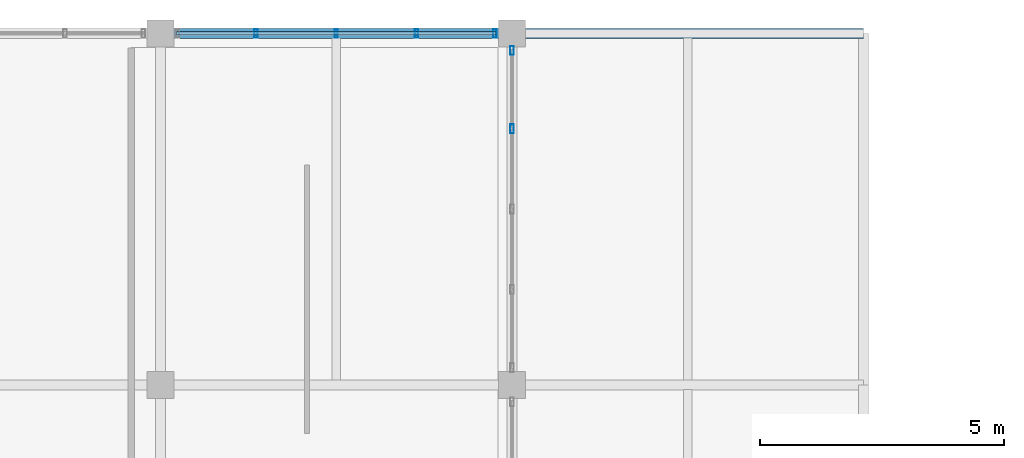
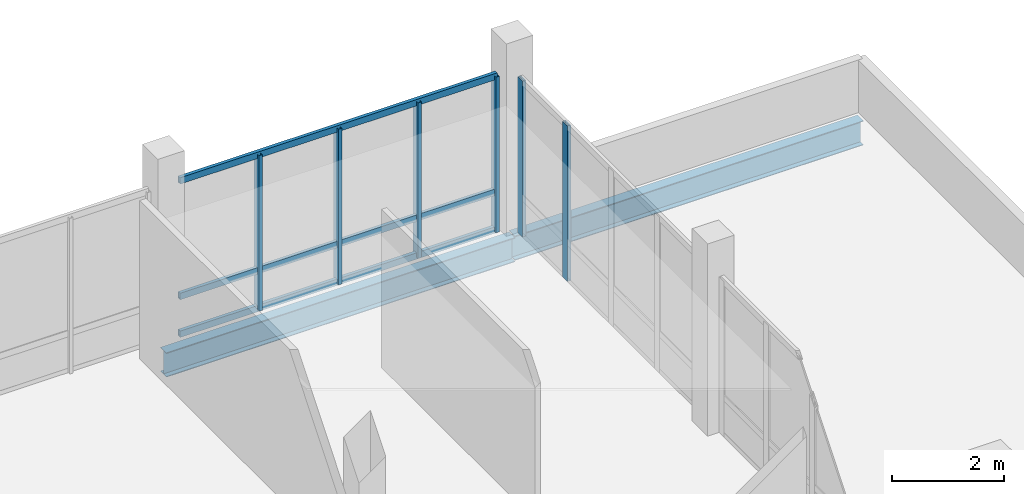
# One storey, part 14 of 28: 9 members, 2 beams, 2 elements without a shape of their own.
"""IFC4 building model written with IfcOpenShell, lengths in metres."""

from ifc_helpers import new_model, si_unit, direction, frame, origin, origin_2d, place, context, subcontext, project, spatial, hollow_rectangle, i_section, extrude, material, material_profile, profile_set, type_object, element, aggregate, save


model = new_model("IFC4")

# Units and contexts
model_context = context("Model", 3, precision=1e-05, world=origin(), true_north=direction((0.0, 1.0)))
body_context = subcontext(model_context, "Body", "Model", "MODEL_VIEW")
ifc_project = project(units=[si_unit("LENGTHUNIT", "METRE"), si_unit("AREAUNIT", "SQUARE_METRE"), si_unit("VOLUMEUNIT", "CUBIC_METRE"), si_unit("PLANEANGLEUNIT", "RADIAN"), si_unit("MASSUNIT", "GRAM", prefix="KILO")], contexts=[model_context])

# Site, building, storey
site_placement = place(None, origin())
site = spatial("IfcSite", under=ifc_project, at=site_placement, CompositionType="ELEMENT")
building_placement = place(site_placement, origin())
building = spatial("IfcBuilding", under=site, at=building_placement, Name="Yarey Park Central Fire Station", CompositionType="ELEMENT")
storey_placement = place(building_placement, frame((0.0, 0.0, 22.199951171875)))
storey = spatial("IfcBuildingStorey", under=building, at=storey_placement, Name="L06", CompositionType="ELEMENT", Elevation=22.199951171875)

# Curtain wall, members
ifc_material_1 = material(Name="Anodized Aluminium Frame", Category="aluminium")
curtain_wall_type = type_object("IfcCurtainWallType", Name="ENV_CW_HQ_L06", PredefinedType="NOTDEFINED", material=ifc_material_1)
curtain_wall_1_placement = place(storey_placement, origin())
curtain_wall_1 = element("IfcCurtainWall", 1, at=curtain_wall_1_placement, inside=storey, type_object=curtain_wall_type, Name="CW_L06_V4_N_4", PredefinedType="NOTDEFINED")
ifc_material_profile_1 = material_profile(ifc_material_1, hollow_rectangle(XDim=0.070068359375, YDim=0.179931640625, WallThickness=0.00390625, at=origin_2d()), Name="ALU 180x70x4")
ifc_profile_set_1 = profile_set([ifc_material_profile_1], Name="Anodized Aluminium Frame")
member_type_1 = type_object("IfcMemberType", Name="ENV_CW_MULLION", PredefinedType="MULLION", material=ifc_profile_set_1)
member_1_placement = place(storey_placement, frame((143.64990234375, 115.199951171875, 0.0), z_axis=(0.0, 0.0, 1.0), x_axis=(1.0, 0.0, 0.0)))
member_1 = element("IfcMember", 2, at=member_1_placement, type_object=member_type_1, Name="CW_L06_V4_N_4_MUL1", PredefinedType="MULLION", context=body_context, shape_type="SweptSolid", body=[
    extrude(hollow_rectangle(XDim=0.070068359375, YDim=0.179931640625, WallThickness=0.00390625, at=origin_2d()), origin(), (0.0, 0.0, 1.0), 3.400146484375),
])
member_2_placement = place(storey_placement, frame((142.044921875, 115.199951171875, 0.0), z_axis=(0.0, 0.0, 1.0), x_axis=(1.0, 0.0, 0.0)))
member_2 = element("IfcMember", 3, at=member_2_placement, type_object=member_type_1, Name="CW_L06_V4_N_4_MUL2", PredefinedType="MULLION", context=body_context, shape_type="SweptSolid", body=[
    extrude(hollow_rectangle(XDim=0.070068359375, YDim=0.179931640625, WallThickness=0.00390625, at=origin_2d()), origin(), (0.0, 0.0, 1.0), 3.400146484375),
])
member_3_placement = place(storey_placement, frame((140.39990234375, 115.199951171875, 0.0), z_axis=(0.0, 0.0, 1.0), x_axis=(1.0, 0.0, 0.0)))
member_3 = element("IfcMember", 4, at=member_3_placement, type_object=member_type_1, Name="CW_L06_V4_N_4_MUL3", PredefinedType="MULLION", context=body_context, shape_type="SweptSolid", body=[
    extrude(hollow_rectangle(XDim=0.070068359375, YDim=0.179931640625, WallThickness=0.00390625, at=origin_2d()), origin(), (0.0, 0.0, 1.0), 3.400146484375),
])
member_4_placement = place(storey_placement, frame((138.7548828125, 115.199951171875, 0.0), z_axis=(0.0, 0.0, 1.0), x_axis=(1.0, 0.0, 0.0)))
member_4 = element("IfcMember", 5, at=member_4_placement, type_object=member_type_1, Name="CW_L06_V4_N_4_MUL4", PredefinedType="MULLION", context=body_context, shape_type="SweptSolid", body=[
    extrude(hollow_rectangle(XDim=0.070068359375, YDim=0.179931640625, WallThickness=0.00390625, at=origin_2d()), origin(), (0.0, 0.0, 1.0), 3.400146484375),
])

curtain_wall_2_placement = place(storey_placement, origin())
curtain_wall_2 = element("IfcCurtainWall", 6, at=curtain_wall_2_placement, inside=storey, type_object=curtain_wall_type, Name="CW_L06_V4_E_108", PredefinedType="NOTDEFINED")
member_5_placement = place(storey_placement, frame((144.0, 113.2451171875, 0.0), z_axis=(0.0, 0.0, 1.0), x_axis=(1.0, 0.0, 0.0)))
member_5 = element("IfcMember", 7, at=member_5_placement, type_object=member_type_1, Name="CW_L06_V4_E_108_MUL4", PredefinedType="MULLION", context=body_context, shape_type="SweptSolid", body=[
    extrude(hollow_rectangle(XDim=0.070068359375, YDim=0.179931640625, WallThickness=0.00390625, at=origin_2d()), origin(), (0.0, 0.0, 1.0), 3.400146484375),
])
member_6_placement = place(storey_placement, frame((144.0, 114.85009765625, 0.0), z_axis=(0.0, 0.0, 1.0), x_axis=(1.0, 0.0, 0.0)))
member_6 = element("IfcMember", 8, at=member_6_placement, type_object=member_type_1, Name="CW_L06_V4_E_108_MUL5", PredefinedType="MULLION", context=body_context, shape_type="SweptSolid", body=[
    extrude(hollow_rectangle(XDim=0.070068359375, YDim=0.179931640625, WallThickness=0.00390625, at=origin_2d()), origin(), (0.0, 0.0, 1.0), 3.400146484375),
])
aggregate(curtain_wall_2, [member_5, member_6])

# Member
ifc_material_profile_2 = material_profile(ifc_material_1, hollow_rectangle(XDim=0.070068359375, YDim=0.139892578125, WallThickness=0.00390625, at=origin_2d()), Name="ALU 140x70x4")
ifc_profile_set_2 = profile_set([ifc_material_profile_2], Name="Anodized Aluminium Frame")
member_type_2 = type_object("IfcMemberType", Name="ENV_CW_TRANSOM", PredefinedType="USERDEFINED", material=ifc_profile_set_2)
member_7_placement = place(storey_placement, frame((143.675048828125, 115.199951171875, 0.025146484375), z_axis=(-1.0, 0.0, 0.0), x_axis=(0.0, -1.0, 0.0)))
member_7 = element("IfcMember", 9, at=member_7_placement, type_object=member_type_2, Name="CW_L06_V4_N_4_TRN1", ObjectType="TRANSOM", PredefinedType="USERDEFINED", context=body_context, shape_type="SweptSolid", body=[
    extrude(hollow_rectangle(XDim=0.070068359375, YDim=0.139892578125, WallThickness=0.00390625, at=origin_2d()), origin(), (0.0, 0.0, 1.0), 6.550048828125),
])

member_8_placement = place(storey_placement, frame((143.675048828125, 115.199951171875, 0.85009765625), z_axis=(-1.0, 0.0, 0.0), x_axis=(0.0, -1.0, 0.0)))
member_8 = element("IfcMember", 10, at=member_8_placement, type_object=member_type_2, Name="CW_L06_V4_N_4_TRN2", ObjectType="TRANSOM", PredefinedType="USERDEFINED", context=body_context, shape_type="SweptSolid", body=[
    extrude(hollow_rectangle(XDim=0.070068359375, YDim=0.139892578125, WallThickness=0.00390625, at=origin_2d()), origin(), (0.0, 0.0, 1.0), 6.550048828125),
])

member_9_placement = place(storey_placement, frame((143.675048828125, 115.199951171875, 3.375), z_axis=(-1.0, 0.0, 0.0), x_axis=(0.0, -1.0, 0.0)))
member_9 = element("IfcMember", 11, at=member_9_placement, type_object=member_type_2, Name="CW_L06_V4_N_4_TRN3", ObjectType="TRANSOM", PredefinedType="USERDEFINED", context=body_context, shape_type="SweptSolid", body=[
    extrude(hollow_rectangle(XDim=0.070068359375, YDim=0.139892578125, WallThickness=0.00390625, at=origin_2d()), origin(), (0.0, 0.0, 1.0), 6.550048828125),
])

aggregate(curtain_wall_1, [member_1, member_2, member_3, member_4, member_7, member_8, member_9])

# Beams
ifc_material_2 = material(Name="Steel ASTM A992 Gr. 50", Category="steel")
ifc_material_profile_3 = material_profile(ifc_material_2, i_section(OverallWidth=0.208984375, OverallDepth=0.532958984375, WebThickness=0.01025390625, FlangeThickness=0.015625, at=origin_2d()), Name="W530x92")
ifc_profile_set_3 = profile_set([ifc_material_profile_3], Name="Steel ASTM A992 Gr. 50")
beam_type = type_object("IfcBeamType", Name="STR_BM_W530", PredefinedType="BEAM", material=ifc_profile_set_3)
for number, where, z_axis, x_axis, name in (
    (12, (136.800048828125, 115.199951171875, -0.491455078125), (1.0, 0.0, 0.0), (0.0, 1.0, 0.0), "BMX L06 Y1152 X1368"),
    (13, (144.0, 115.199951171875, -0.46142578125), (1.0, 0.0, 0.0), (0.0, 1.0, 0.0), "BMX L06 Y1152 X1440"),
):
    element("IfcBeam", number, at=place(storey_placement, frame(where, z_axis=z_axis, x_axis=x_axis)), inside=storey, type_object=beam_type, Name=name, PredefinedType="BEAM", context=body_context, shape_type="SweptSolid", body=[
        extrude(i_section(OverallWidth=0.208984375, OverallDepth=0.532958984375, WebThickness=0.01025390625, FlangeThickness=0.015625, at=origin_2d()), origin(), (0.0, 0.0, 1.0), 7.199951171875),
    ])

save(model, "model.ifc")
